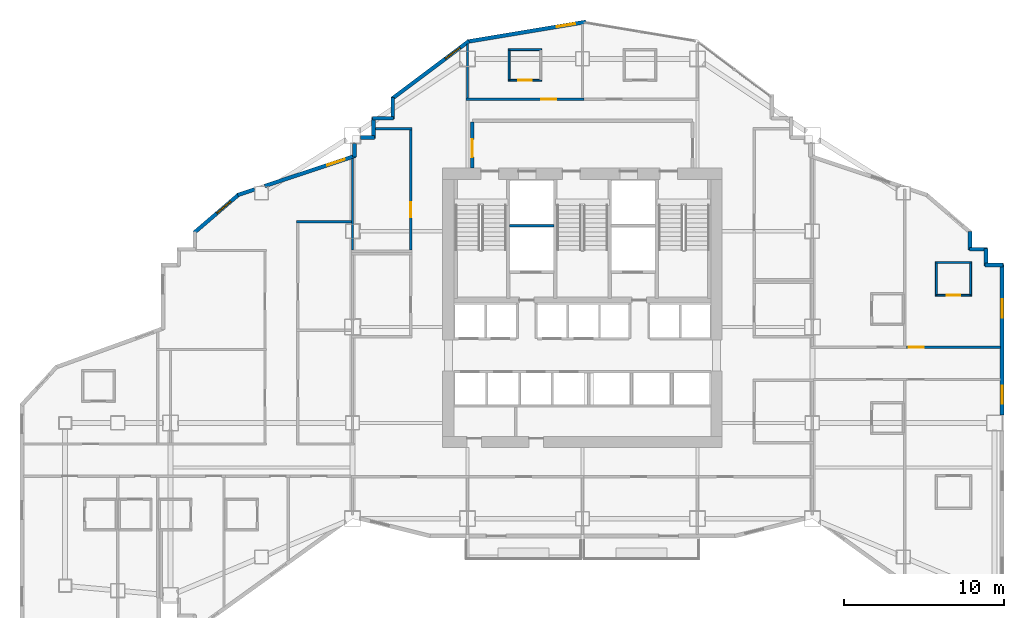
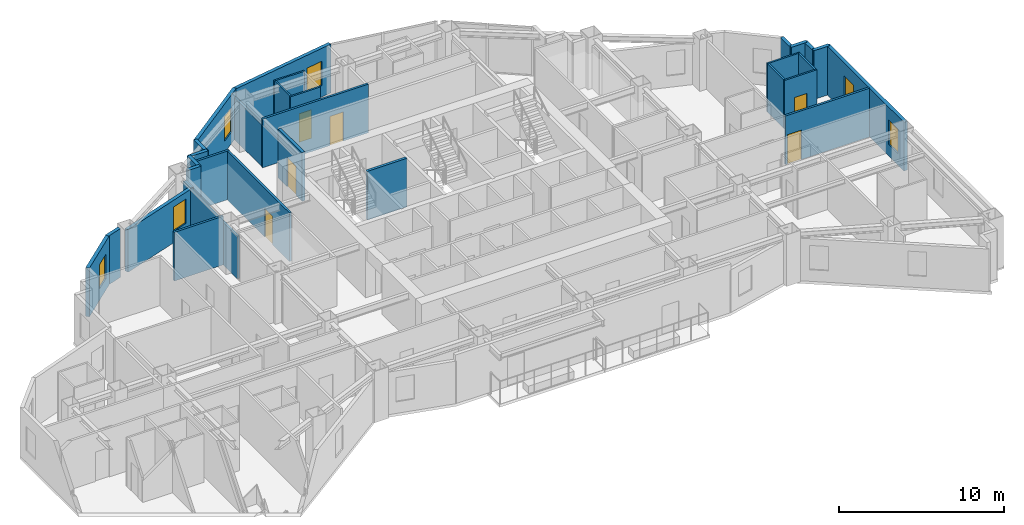
# One storey, part 9 of 14: 31 walls, 6 doors, 6 windows, 12 openings.
"""IFC4 building model written with IfcOpenShell, lengths in metres."""

from ifc_helpers import new_model, si_unit, direction, frame, frame_2d, origin, place, context, subcontext, project, spatial, rectangle, extrude, material, layer, layer_set, type_object, element, fill, save


model = new_model("IFC4")

# Units and contexts
model_context = context("Model", 3, precision=1e-05, world=origin(), true_north=direction((0.0, 1.0)))
body_context = subcontext(model_context, "Body", "Model", "MODEL_VIEW")
ifc_project = project(units=[si_unit("LENGTHUNIT", "METRE"), si_unit("AREAUNIT", "SQUARE_METRE"), si_unit("VOLUMEUNIT", "CUBIC_METRE"), si_unit("PLANEANGLEUNIT", "RADIAN"), si_unit("MASSUNIT", "GRAM", prefix="KILO")], contexts=[model_context])

# Site, building, storey
site_placement = place(None, origin())
site = spatial("IfcSite", under=ifc_project, at=site_placement, CompositionType="ELEMENT")
building_placement = place(site_placement, origin())
building = spatial("IfcBuilding", under=site, at=building_placement, Name="Haolan Belvedere Tower", CompositionType="ELEMENT")
storey_placement = place(building_placement, frame((0.0, 0.0, 98.39990234375)))
storey = spatial("IfcBuildingStorey", under=building, at=storey_placement, Name="L24", CompositionType="ELEMENT", Elevation=98.39990234375)

# Wall, openings, windows
ifc_material_1 = material(Name="Precast concrete C40/50", Category="concrete")
ifc_layer_1 = layer(ifc_material_1, 0.239990234375, Name="Precast concrete C40/50")
ifc_layer_set_1 = layer_set([ifc_layer_1], Name="Precast concrete C40/50")
wall_type_1 = type_object("IfcWallType", Name="WL-EXT-240", PredefinedType="SOLIDWALL", material=ifc_layer_set_1)
wall_1_placement = place(storey_placement, frame((64.679931640625, 28.092041015625, 0.0), z_axis=(0.0, 0.0, 1.0), x_axis=(0.0, 1.0, 0.0)))
wall_1 = element("IfcWall", 1, at=wall_1_placement, inside=storey, type_object=wall_type_1, Name="L24 pale-metal exterior spandrel wall 14.2", PredefinedType="SOLIDWALL", context=body_context, shape_type="SweptSolid", body=[
    extrude(rectangle(XDim=9.44287109375, YDim=0.239990234375, at=frame_2d((4.721435546875, 0.0))), origin(), (0.0, 0.0, 1.0), 3.60009765625),
])
opening_1_placement = place(wall_1_placement, frame((0.699951171875, 0.0, 0.85009765625)))
opening_1 = element("IfcOpeningElement", 2, at=opening_1_placement, cuts=wall_1, Name="Opening W-02", PredefinedType="OPENING", context=body_context, shape_type="SweptSolid", body=[
    extrude(rectangle(XDim=1.14990234375, YDim=1.800048828125, at=frame_2d((0.574951171875, 0.89990234375))), frame((0.0, 0.1298828125, 0.0), z_axis=(0.0, -1.0, 0.0), x_axis=(1.0, 0.0, 0.0)), (0.0, 0.0, 1.0), 0.260009765625),
])
opening_2_placement = place(wall_1_placement, frame((6.10009765625, 0.0, 0.85009765625)))
opening_2 = element("IfcOpeningElement", 3, at=opening_2_placement, cuts=wall_1, Name="Opening W-02", PredefinedType="OPENING", context=body_context, shape_type="SweptSolid", body=[
    extrude(rectangle(XDim=1.14990234375, YDim=1.800048828125, at=frame_2d((0.574951171875, 0.89990234375))), frame((0.0, 0.1298828125, 0.0), z_axis=(0.0, -1.0, 0.0), x_axis=(1.0, 0.0, 0.0)), (0.0, 0.0, 1.0), 0.260009765625),
])
ifc_material_2 = material(Name="Anodised aluminium 6063-T6 and Low-E glass", Category="aluminium")
window_type = type_object("IfcWindowType", Name="WN-DECO-Z2", PartitioningType="SINGLE_PANEL", PredefinedType="WINDOW", material=ifc_material_2)
window_1_placement = place(opening_1_placement, origin())
window_1 = element("IfcWindow", 4, at=window_1_placement, inside=storey, type_object=window_type, Name="L24 Art Deco chevron window 1", OverallHeight=1.800048828125, OverallWidth=1.14990234375, PartitioningType="SINGLE_PANEL", PredefinedType="WINDOW", context=body_context, shape_type="SweptSolid", body=[
    extrude(rectangle(XDim=1.14990234375, YDim=1.800048828125, at=frame_2d((0.574951171875, 0.89990234375))), frame((0.0, 0.030029296875, 0.0), z_axis=(0.0, -1.0, 0.0), x_axis=(1.0, 0.0, 0.0)), (0.0, 0.0, 1.0), 0.06005859375),
])
fill(opening_1, window_1)
window_2_placement = place(opening_2_placement, origin())
window_2 = element("IfcWindow", 5, at=window_2_placement, inside=storey, type_object=window_type, Name="L24 Art Deco chevron window 2", OverallHeight=1.800048828125, OverallWidth=1.14990234375, PartitioningType="SINGLE_PANEL", PredefinedType="WINDOW", context=body_context, shape_type="SweptSolid", body=[
    extrude(rectangle(XDim=1.14990234375, YDim=1.800048828125, at=frame_2d((0.574951171875, 0.89990234375))), frame((0.0, 0.030029296875, 0.0), z_axis=(0.0, -1.0, 0.0), x_axis=(1.0, 0.0, 0.0)), (0.0, 0.0, 1.0), 0.06005859375),
])
fill(opening_2, window_2)

# Walls
wall_2_placement = place(storey_placement, frame((64.735107421875, 37.47998046875, 0.0), z_axis=(0.0, 0.0, 1.0), x_axis=(-1.0, 0.0, 0.0)))
element("IfcWall", 6, at=wall_2_placement, inside=storey, type_object=wall_type_1, Name="L24 pale-metal exterior spandrel wall 15.1", PredefinedType="SOLIDWALL", context=body_context, shape_type="SweptSolid", body=[
    extrude(rectangle(XDim=1.110107421875, YDim=0.239990234375, at=frame_2d((0.55517578125, 0.0))), origin(), (0.0, 0.0, 1.0), 3.60009765625),
])
wall_3_placement = place(storey_placement, frame((63.679931640625, 37.425048828125, 0.0), z_axis=(0.0, 0.0, 1.0), x_axis=(0.0, 1.0, 0.0)))
element("IfcWall", 7, at=wall_3_placement, inside=storey, type_object=wall_type_1, Name="L24 pale-metal exterior spandrel wall 16.1", PredefinedType="SOLIDWALL", context=body_context, shape_type="SweptSolid", body=[
    extrude(rectangle(XDim=1.10986328125, YDim=0.239990234375, at=frame_2d((0.554931640625, 0.0))), origin(), (0.0, 0.0, 1.0), 3.60009765625),
])
wall_4_placement = place(storey_placement, frame((63.735107421875, 38.47998046875, 0.0), z_axis=(0.0, 0.0, 1.0), x_axis=(-1.0, 0.0, 0.0)))
element("IfcWall", 8, at=wall_4_placement, inside=storey, type_object=wall_type_1, Name="L24 pale-metal exterior spandrel wall 17.1", PredefinedType="SOLIDWALL", context=body_context, shape_type="SweptSolid", body=[
    extrude(rectangle(XDim=1.110107421875, YDim=0.239990234375, at=frame_2d((0.55517578125, 0.0))), origin(), (0.0, 0.0, 1.0), 3.60009765625),
])
wall_5_placement = place(storey_placement, frame((62.679931640625, 38.425048828125, 0.0), z_axis=(0.0, 0.0, 1.0), x_axis=(0.0, 1.0, 0.0)))
element("IfcWall", 9, at=wall_5_placement, inside=storey, type_object=wall_type_1, Name="L24 pale-metal exterior spandrel wall 18.1", PredefinedType="SOLIDWALL", context=body_context, shape_type="SweptSolid", body=[
    extrude(rectangle(XDim=1.1748046875, YDim=0.239990234375, at=frame_2d((0.58740234375, 0.0))), origin(), (0.0, 0.0, 1.0), 3.60009765625),
])

# Wall, opening, window
wall_6_placement = place(storey_placement, frame((38.621826171875, 52.71533203125, 0.0), z_axis=(0.0, 0.0, 1.0), x_axis=(-0.98639129485, -0.164414760418, 0.0)))
wall_6 = element("IfcWall", 10, at=wall_6_placement, inside=storey, type_object=wall_type_1, Name="L24 pale-metal exterior spandrel wall 28.1", PredefinedType="SOLIDWALL", context=body_context, shape_type="SweptSolid", body=[
    extrude(rectangle(XDim=7.530029296875, YDim=0.239990234375, at=frame_2d((3.76513671875, 0.0))), origin(), (0.0, 0.0, 1.0), 3.60009765625),
])
opening_3_placement = place(wall_6_placement, frame((0.699951171875, 0.0, 0.85009765625)))
opening_3 = element("IfcOpeningElement", 11, at=opening_3_placement, cuts=wall_6, Name="Opening W-02", PredefinedType="OPENING", context=body_context, shape_type="SweptSolid", body=[
    extrude(rectangle(XDim=1.14990234375, YDim=1.800048828125, at=frame_2d((0.574951171875, 0.89990234375))), frame((0.0, 0.1298828125, 0.0), z_axis=(0.0, -1.0, 0.0), x_axis=(1.0, 0.0, 0.0)), (0.0, 0.0, 1.0), 0.260009765625),
])
window_3_placement = place(opening_3_placement, origin())
window_3 = element("IfcWindow", 12, at=window_3_placement, inside=storey, type_object=window_type, Name="L24 Art Deco chevron window 1", OverallHeight=1.800048828125, OverallWidth=1.14990234375, PartitioningType="SINGLE_PANEL", PredefinedType="WINDOW", context=body_context, shape_type="SweptSolid", body=[
    extrude(rectangle(XDim=1.14990234375, YDim=1.800048828125, at=frame_2d((0.574951171875, 0.89990234375))), frame((0.0, 0.030029296875, 0.0), z_axis=(0.0, -1.0, 0.0), x_axis=(1.0, 0.0, 0.0)), (0.0, 0.0, 1.0), 0.06005859375),
])
fill(opening_3, window_3)

wall_7_placement = place(storey_placement, frame((31.29248046875, 51.519287109375, 0.0), z_axis=(0.0, 0.0, 1.0), x_axis=(-0.8, -0.6, 0.0)))
wall_7 = element("IfcWall", 13, at=wall_7_placement, inside=storey, type_object=wall_type_1, Name="L24 pale-metal exterior spandrel wall 29.1", PredefinedType="SOLIDWALL", context=body_context, shape_type="SweptSolid", body=[
    extrude(rectangle(XDim=6.0205078125, YDim=0.239990234375, at=frame_2d((3.01025390625, 0.0))), origin(), (0.0, 0.0, 1.0), 3.60009765625),
])
opening_4_placement = place(wall_7_placement, frame((0.699951171875, 0.0, 0.85009765625)))
opening_4 = element("IfcOpeningElement", 14, at=opening_4_placement, cuts=wall_7, Name="Opening W-02", PredefinedType="OPENING", context=body_context, shape_type="SweptSolid", body=[
    extrude(rectangle(XDim=1.14990234375, YDim=1.800048828125, at=frame_2d((0.574951171875, 0.89990234375))), frame((0.0, 0.1298828125, 0.0), z_axis=(0.0, -1.0, 0.0), x_axis=(1.0, 0.0, 0.0)), (0.0, 0.0, 1.0), 0.260009765625),
])
window_4_placement = place(opening_4_placement, origin())
window_4 = element("IfcWindow", 15, at=window_4_placement, inside=storey, type_object=window_type, Name="L24 Art Deco chevron window 1", OverallHeight=1.800048828125, OverallWidth=1.14990234375, PartitioningType="SINGLE_PANEL", PredefinedType="WINDOW", context=body_context, shape_type="SweptSolid", body=[
    extrude(rectangle(XDim=1.14990234375, YDim=1.800048828125, at=frame_2d((0.574951171875, 0.89990234375))), frame((0.0, 0.030029296875, 0.0), z_axis=(0.0, -1.0, 0.0), x_axis=(1.0, 0.0, 0.0)), (0.0, 0.0, 1.0), 0.06005859375),
])
fill(opening_4, window_4)

# Walls
wall_8_placement = place(storey_placement, frame((26.52001953125, 47.9951171875, 0.0), z_axis=(0.0, 0.0, 1.0), x_axis=(0.0, -1.0, 0.0)))
element("IfcWall", 16, at=wall_8_placement, inside=storey, type_object=wall_type_1, Name="L24 pale-metal exterior spandrel wall 30.1", PredefinedType="SOLIDWALL", context=body_context, shape_type="SweptSolid", body=[
    extrude(rectangle(XDim=1.3701171875, YDim=0.239990234375, at=frame_2d((0.68505859375, 0.0))), origin(), (0.0, 0.0, 1.0), 3.60009765625),
])
for number, where, z_axis, x_axis, name in (
    (17, (26.574951171875, 46.679931640625, 0.0), (0.0, 0.0, 1.0), (-1.0, 0.0, 0.0), "L24 pale-metal exterior spandrel wall 31.1"),
    (18, (25.320068359375, 46.735107421875, 0.0), (0.0, 0.0, 1.0), (0.0, -1.0, 0.0), "L24 pale-metal exterior spandrel wall 32.1"),
):
    element("IfcWall", number, at=place(storey_placement, frame(where, z_axis=z_axis, x_axis=x_axis)), inside=storey, type_object=wall_type_1, Name=name, PredefinedType="SOLIDWALL", context=body_context, shape_type="SweptSolid", body=[
        extrude(rectangle(XDim=1.31005859375, YDim=0.239990234375, at=frame_2d((0.655029296875, 0.0))), origin(), (0.0, 0.0, 1.0), 3.60009765625),
    ])
wall_9_placement = place(storey_placement, frame((25.375, 45.47998046875, 0.0), z_axis=(0.0, 0.0, 1.0), x_axis=(-1.0, 0.0, 0.0)))
element("IfcWall", 19, at=wall_9_placement, inside=storey, type_object=wall_type_1, Name="L24 pale-metal exterior spandrel wall 33.1", PredefinedType="SOLIDWALL", context=body_context, shape_type="SweptSolid", body=[
    extrude(rectangle(XDim=0.883056640625, YDim=0.239990234375, at=frame_2d((0.44140625, 0.0))), origin(), (0.0, 0.0, 1.0), 3.60009765625),
])
wall_10_placement = place(storey_placement, frame((24.1201171875, 45.10791015625, 0.0), z_axis=(0.0, 0.0, 1.0), x_axis=(0.0, -1.0, 0.0)))
element("IfcWall", 20, at=wall_10_placement, inside=storey, type_object=wall_type_1, Name="L24 pale-metal exterior spandrel wall 34.1", PredefinedType="SOLIDWALL", context=body_context, shape_type="SweptSolid", body=[
    extrude(rectangle(XDim=0.849365234375, YDim=0.239990234375, at=frame_2d((0.4248046875, 0.0))), origin(), (0.0, 0.0, 1.0), 3.14501953125),
])

# Wall, opening, window
wall_11_placement = place(storey_placement, frame((24.172119140625, 44.330810546875, 0.0), z_axis=(0.0, 0.0, 1.0), x_axis=(-0.948683298051, -0.316227766017, 0.0)))
wall_11 = element("IfcWall", 21, at=wall_11_placement, inside=storey, type_object=wall_type_1, Name="L24 pale-metal exterior spandrel wall 35.1", PredefinedType="SOLIDWALL", context=body_context, shape_type="SweptSolid", body=[
    extrude(rectangle(XDim=5.973388671875, YDim=0.239990234375, at=frame_2d((2.98681640625, 0.0))), origin(), (0.0, 0.0, 1.0), 3.14501953125),
])
opening_5_placement = place(wall_11_placement, frame((0.699951171875, 0.0, 0.85009765625)))
opening_5 = element("IfcOpeningElement", 22, at=opening_5_placement, cuts=wall_11, Name="Opening W-02", PredefinedType="OPENING", context=body_context, shape_type="SweptSolid", body=[
    extrude(rectangle(XDim=1.14990234375, YDim=1.800048828125, at=frame_2d((0.574951171875, 0.89990234375))), frame((0.0, 0.1298828125, 0.0), z_axis=(0.0, -1.0, 0.0), x_axis=(1.0, 0.0, 0.0)), (0.0, 0.0, 1.0), 0.260009765625),
])
window_5_placement = place(opening_5_placement, origin())
window_5 = element("IfcWindow", 23, at=window_5_placement, inside=storey, type_object=window_type, Name="L24 Art Deco chevron window 1", OverallHeight=1.800048828125, OverallWidth=1.14990234375, PartitioningType="SINGLE_PANEL", PredefinedType="WINDOW", context=body_context, shape_type="SweptSolid", body=[
    extrude(rectangle(XDim=1.14990234375, YDim=1.800048828125, at=frame_2d((0.574951171875, 0.89990234375))), frame((0.0, 0.030029296875, 0.0), z_axis=(0.0, -1.0, 0.0), x_axis=(1.0, 0.0, 0.0)), (0.0, 0.0, 1.0), 0.06005859375),
])
fill(opening_5, window_5)

# Wall
wall_12_placement = place(storey_placement, frame((17.85791015625, 42.226318359375, 0.0), z_axis=(0.0, 0.0, 1.0), x_axis=(-0.948639166064, -0.316360131194, 0.0)))
element("IfcWall", 24, at=wall_12_placement, inside=storey, type_object=wall_type_1, Name="L24 pale-metal exterior spandrel wall 35.2", PredefinedType="SOLIDWALL", context=body_context, shape_type="SweptSolid", body=[
    extrude(rectangle(XDim=1.106689453125, YDim=0.239990234375, at=frame_2d((0.55322265625, 0.0))), origin(), (0.0, 0.0, 1.0), 3.60009765625),
])

# Wall, opening, window
wall_13_placement = place(storey_placement, frame((16.902099609375, 41.929443359375, 0.0), z_axis=(0.0, 0.0, 1.0), x_axis=(-0.759275136126, -0.650769750112, 0.0)))
wall_13 = element("IfcWall", 25, at=wall_13_placement, inside=storey, type_object=wall_type_1, Name="L24 pale-metal exterior spandrel wall 36.1", PredefinedType="SOLIDWALL", context=body_context, shape_type="SweptSolid", body=[
    extrude(rectangle(XDim=3.71923828125, YDim=0.239990234375, at=frame_2d((1.859619140625, 0.0))), origin(), (0.0, 0.0, 1.0), 3.60009765625),
])
opening_6_placement = place(wall_13_placement, frame((0.699951171875, 0.0, 0.85009765625)))
opening_6 = element("IfcOpeningElement", 26, at=opening_6_placement, cuts=wall_13, Name="Opening W-02", PredefinedType="OPENING", context=body_context, shape_type="SweptSolid", body=[
    extrude(rectangle(XDim=1.14990234375, YDim=1.800048828125, at=frame_2d((0.574951171875, 0.89990234375))), frame((0.0, 0.1298828125, 0.0), z_axis=(0.0, -1.0, 0.0), x_axis=(1.0, 0.0, 0.0)), (0.0, 0.0, 1.0), 0.260009765625),
])
window_6_placement = place(opening_6_placement, origin())
window_6 = element("IfcWindow", 27, at=window_6_placement, inside=storey, type_object=window_type, Name="L24 Art Deco chevron window 1", OverallHeight=1.800048828125, OverallWidth=1.14990234375, PartitioningType="SINGLE_PANEL", PredefinedType="WINDOW", context=body_context, shape_type="SweptSolid", body=[
    extrude(rectangle(XDim=1.14990234375, YDim=1.800048828125, at=frame_2d((0.574951171875, 0.89990234375))), frame((0.0, 0.030029296875, 0.0), z_axis=(0.0, -1.0, 0.0), x_axis=(1.0, 0.0, 0.0)), (0.0, 0.0, 1.0), 0.06005859375),
])
fill(opening_6, window_6)

# Wall, opening, door
ifc_material_3 = material(Name="Concrete C40/50", Category="concrete")
ifc_layer_2 = layer(ifc_material_3, 0.199951171875, Name="Concrete C40/50")
ifc_layer_set_2 = layer_set([ifc_layer_2], Name="Concrete C40/50")
wall_type_2 = type_object("IfcWallType", Name="WL-FIRE-200", PredefinedType="SOLIDWALL", material=ifc_layer_set_2)
wall_14_placement = place(storey_placement, frame((31.5, 43.550048828125, 0.0), z_axis=(0.0, 0.0, 1.0), x_axis=(0.0, 1.0, 0.0)))
wall_14 = element("IfcWall", 28, at=wall_14_placement, inside=storey, type_object=wall_type_2, Name="L24 interior partition IW-L24-FFL-W", PredefinedType="SOLIDWALL", context=body_context, shape_type="SweptSolid", body=[
    extrude(rectangle(XDim=2.885009765625, YDim=0.199951171875, at=frame_2d((1.4423828125, 0.0))), origin(), (0.0, 0.0, 1.0), 3.60009765625),
])
opening_7_placement = place(wall_14_placement, frame((1.800048828125, 0.0, 0.0), z_axis=(0.0, 0.0, 1.0), x_axis=(-1.0, 0.0, 0.0)))
opening_7 = element("IfcOpeningElement", 29, at=opening_7_placement, cuts=wall_14, Name="Opening FD-03", PredefinedType="OPENING", context=body_context, shape_type="SweptSolid", body=[
    extrude(rectangle(XDim=1.10009765625, YDim=2.14990234375, at=frame_2d((0.550048828125, 1.074951171875))), frame((0.0, 0.10986328125, 0.0), z_axis=(0.0, -1.0, 0.0), x_axis=(1.0, 0.0, 0.0)), (0.0, 0.0, 1.0), 0.219970703125),
])
ifc_material_4 = material(Name="Galvanised fire-rated steel", Category="steel")
door_type_1 = type_object("IfcDoorType", Name="DR-FD90-1100", OperationType="NOTDEFINED", PredefinedType="DOOR", material=ifc_material_4)
door_1_placement = place(opening_7_placement, origin())
door_1 = element("IfcDoor", 30, at=door_1_placement, inside=storey, type_object=door_type_1, Name="L24 door ID-L24-FFL-DW", OperationType="SINGLE_SWING_LEFT", OverallHeight=2.14990234375, OverallWidth=1.10009765625, PredefinedType="DOOR", context=body_context, shape_type="SweptSolid", body=[
    extrude(rectangle(XDim=1.10009765625, YDim=2.14990234375, at=frame_2d((0.550048828125, 1.074951171875))), frame((0.0, 0.02490234375, 0.0), z_axis=(0.0, -1.0, 0.0), x_axis=(1.0, 0.0, 0.0)), (0.0, 0.0, 1.0), 0.050048828125),
])
fill(opening_7, door_1)

# Walls
ifc_material_5 = material(Name="Double gypsum acoustic stud partition", Category="masonry")
ifc_layer_3 = layer(ifc_material_5, 0.14990234375, Name="Double gypsum acoustic stud partition")
ifc_layer_set_3 = layer_set([ifc_layer_3], Name="Double gypsum acoustic stud partition")
wall_type_3 = type_object("IfcWallType", Name="WL-PART-150", PredefinedType="PARTITIONING", material=ifc_layer_set_3)
wall_15_placement = place(storey_placement, frame((25.425048828125, 46.02001953125, 0.0), z_axis=(0.0, 0.0, 1.0), x_axis=(1.0, 0.0, 0.0)))
element("IfcWall", 31, at=wall_15_placement, inside=storey, type_object=wall_type_3, Name="L24 interior partition IW-L24-VLT-N", PredefinedType="PARTITIONING", context=body_context, shape_type="SweptSolid", body=[
    extrude(rectangle(XDim=2.294921875, YDim=0.14990234375, at=frame_2d((1.1474609375, 0.0))), origin(), (0.0, 0.0, 1.0), 3.60009765625),
])
wall_16_placement = place(storey_placement, frame((24.0, 38.419921875, 0.0), z_axis=(0.0, 0.0, 1.0), x_axis=(0.0, 1.0, 0.0)))
element("IfcWall", 32, at=wall_16_placement, inside=storey, type_object=wall_type_3, Name="L24 interior partition IW-L24-VLT-W", PredefinedType="PARTITIONING", context=body_context, shape_type="SweptSolid", body=[
    extrude(rectangle(XDim=5.742919921875, YDim=0.14990234375, at=frame_2d((2.87158203125, 0.0))), origin(), (0.0, 0.0, 1.0), 3.14501953125),
])

# Wall, opening, door
wall_17_placement = place(storey_placement, frame((27.639892578125, 38.419921875, 0.0), z_axis=(0.0, 0.0, 1.0), x_axis=(0.0, 1.0, 0.0)))
wall_17 = element("IfcWall", 33, at=wall_17_placement, inside=storey, type_object=wall_type_3, Name="L24 interior partition IW-L24-VLT-E", PredefinedType="PARTITIONING", context=body_context, shape_type="SweptSolid", body=[
    extrude(rectangle(XDim=7.5400390625, YDim=0.14990234375, at=frame_2d((3.77001953125, 0.0))), origin(), (0.0, 0.0, 1.0), 3.60009765625),
])
opening_8_placement = place(wall_17_placement, frame((3.010009765625, 0.0, 0.0), z_axis=(0.0, 0.0, 1.0), x_axis=(-1.0, 0.0, 0.0)))
opening_8 = element("IfcOpeningElement", 34, at=opening_8_placement, cuts=wall_17, Name="Opening ID-03", PredefinedType="OPENING", context=body_context, shape_type="SweptSolid", body=[
    extrude(rectangle(XDim=0.949951171875, YDim=2.1201171875, at=frame_2d((0.47509765625, 1.06005859375))), frame((0.0, 0.0849609375, 0.0), z_axis=(0.0, -1.0, 0.0), x_axis=(1.0, 0.0, 0.0)), (0.0, 0.0, 1.0), 0.169921875),
])
ifc_material_6 = material(Name="Painted solid-core timber", Category="wood")
door_type_2 = type_object("IfcDoorType", Name="DR-INT-950", OperationType="NOTDEFINED", PredefinedType="DOOR", material=ifc_material_6)
door_2_placement = place(opening_8_placement, origin())
door_2 = element("IfcDoor", 35, at=door_2_placement, inside=storey, type_object=door_type_2, Name="L24 door ID-L24-VLT", OperationType="SINGLE_SWING_RIGHT", OverallHeight=2.1201171875, OverallWidth=0.949951171875, PredefinedType="DOOR", context=body_context, shape_type="SweptSolid", body=[
    extrude(rectangle(XDim=0.949951171875, YDim=2.1201171875, at=frame_2d((0.47509765625, 1.06005859375))), frame((0.0, 0.02490234375, 0.0), z_axis=(0.0, -1.0, 0.0), x_axis=(1.0, 0.0, 0.0)), (0.0, 0.0, 1.0), 0.050048828125),
])
fill(opening_8, door_2)

wall_18_placement = place(storey_placement, frame((31.10009765625, 47.8798828125, 0.0), z_axis=(0.0, 0.0, 1.0), x_axis=(1.0, 0.0, 0.0)))
wall_18 = element("IfcWall", 36, at=wall_18_placement, inside=storey, type_object=wall_type_3, Name="L24 interior partition IW-L24-KN2-S", PredefinedType="PARTITIONING", context=body_context, shape_type="SweptSolid", body=[
    extrude(rectangle(XDim=7.39990234375, YDim=0.14990234375, at=frame_2d((3.699951171875, 0.0))), origin(), (0.0, 0.0, 1.0), 3.60009765625),
])
opening_9_placement = place(wall_18_placement, frame((4.713623046875, 0.0, 0.0)))
opening_9 = element("IfcOpeningElement", 37, at=opening_9_placement, cuts=wall_18, Name="Opening ID-02", PredefinedType="OPENING", context=body_context, shape_type="SweptSolid", body=[
    extrude(rectangle(XDim=0.949951171875, YDim=2.14990234375, at=frame_2d((0.47509765625, 1.074951171875))), frame((0.0, 0.0849609375, 0.0), z_axis=(0.0, -1.0, 0.0), x_axis=(1.0, 0.0, 0.0)), (0.0, 0.0, 1.0), 0.169921875),
])
ifc_material_7 = material(Name="Acoustic oak veneer fire-rated timber", Category="wood")
door_type_3 = type_object("IfcDoorType", Name="DR-GUEST-950", OperationType="NOTDEFINED", PredefinedType="DOOR", material=ifc_material_7)
door_3_placement = place(opening_9_placement, origin())
door_3 = element("IfcDoor", 38, at=door_3_placement, inside=storey, type_object=door_type_3, Name="L24 door ID-L24-KN2-ENT", OperationType="SINGLE_SWING_LEFT", OverallHeight=2.14990234375, OverallWidth=0.949951171875, PredefinedType="DOOR", context=body_context, shape_type="SweptSolid", body=[
    extrude(rectangle(XDim=0.949951171875, YDim=2.14990234375, at=frame_2d((0.47509765625, 1.074951171875))), frame((0.0, 0.02490234375, 0.0), z_axis=(0.0, -1.0, 0.0), x_axis=(1.0, 0.0, 0.0)), (0.0, 0.0, 1.0), 0.050048828125),
])
fill(opening_9, door_3)

# Walls
wall_19_placement = place(storey_placement, frame((31.199951171875, 47.93994140625, 0.0), z_axis=(0.0, 0.0, 1.0), x_axis=(0.0, 1.0, 0.0)))
element("IfcWall", 39, at=wall_19_placement, inside=storey, type_object=wall_type_3, Name="L24 interior partition IW-L24-KN2-W", PredefinedType="PARTITIONING", context=body_context, shape_type="SweptSolid", body=[
    extrude(rectangle(XDim=3.378662109375, YDim=0.14990234375, at=frame_2d((1.689453125, 0.0))), origin(), (0.0, 0.0, 1.0), 3.085205078125),
])
wall_20_placement = place(storey_placement, frame((20.5, 40.199951171875, 0.0), z_axis=(0.0, 0.0, 1.0), x_axis=(1.0, 0.0, 0.0)))
element("IfcWall", 40, at=wall_20_placement, inside=storey, type_object=wall_type_3, Name="L24 interior partition IW-L24-T2E2-N", PredefinedType="PARTITIONING", context=body_context, shape_type="SweptSolid", body=[
    extrude(rectangle(XDim=3.43994140625, YDim=0.14990234375, at=frame_2d((1.719970703125, 0.0))), origin(), (0.0, 0.0, 1.0), 3.60009765625),
])

# Wall, opening, door
wall_21_placement = place(storey_placement, frame((58.69189453125, 32.330078125, 0.0), z_axis=(0.0, 0.0, 1.0), x_axis=(1.0, 0.0, 0.0)))
wall_21 = element("IfcWall", 41, at=wall_21_placement, inside=storey, type_object=wall_type_3, Name="L24 interior partition IW-L24-T4N2-S", PredefinedType="PARTITIONING", context=body_context, shape_type="SweptSolid", body=[
    extrude(rectangle(XDim=5.883056640625, YDim=0.14990234375, at=frame_2d((2.94140625, 0.0))), origin(), (0.0, 0.0, 1.0), 3.60009765625),
])
opening_10_placement = place(wall_21_placement, frame((0.139892578125, 0.0, 0.0)))
opening_10 = element("IfcOpeningElement", 42, at=opening_10_placement, cuts=wall_21, Name="Opening ID-01", PredefinedType="OPENING", context=body_context, shape_type="SweptSolid", body=[
    extrude(rectangle(XDim=0.949951171875, YDim=2.179931640625, at=frame_2d((0.47509765625, 1.08984375))), frame((0.0, 0.0849609375, 0.0), z_axis=(0.0, -1.0, 0.0), x_axis=(1.0, 0.0, 0.0)), (0.0, 0.0, 1.0), 0.169921875),
])
ifc_material_8 = material(Name="Acoustic walnut veneer fire-rated timber", Category="wood")
door_type_4 = type_object("IfcDoorType", Name="DR-SUITE-950", OperationType="NOTDEFINED", PredefinedType="DOOR", material=ifc_material_8)
door_4_placement = place(opening_10_placement, origin())
door_4 = element("IfcDoor", 43, at=door_4_placement, inside=storey, type_object=door_type_4, Name="L24 door ID-L24-T4N2-ENT", OperationType="SINGLE_SWING_LEFT", OverallHeight=2.179931640625, OverallWidth=0.949951171875, PredefinedType="DOOR", context=body_context, shape_type="SweptSolid", body=[
    extrude(rectangle(XDim=0.949951171875, YDim=2.179931640625, at=frame_2d((0.47509765625, 1.08984375))), frame((0.0, 0.02490234375, 0.0), z_axis=(0.0, -1.0, 0.0), x_axis=(1.0, 0.0, 0.0)), (0.0, 0.0, 1.0), 0.050048828125),
])
fill(opening_10, door_4)

# Walls
ifc_layer_4 = layer(ifc_material_1, 0.179931640625, Name="Precast concrete C40/50")
ifc_layer_set_4 = layer_set([ifc_layer_4], Name="Precast concrete C40/50")
wall_type_4 = type_object("IfcWallType", Name="WL-SHAFT-180", PredefinedType="SOLIDWALL", material=ifc_layer_set_4)
wall_22_placement = place(storey_placement, frame((33.8349609375, 39.949951171875, 0.0), z_axis=(0.0, 0.0, 1.0), x_axis=(1.0, 0.0, 0.0)))
element("IfcWall", 44, at=wall_22_placement, inside=storey, type_object=wall_type_4, Name="L24 interior partition IW-L24-FF1-S", PredefinedType="SOLIDWALL", context=body_context, shape_type="SweptSolid", body=[
    extrude(rectangle(XDim=2.77001953125, YDim=0.179931640625, at=frame_2d((1.385009765625, 0.0))), origin(), (0.0, 0.0, 1.0), 3.60009765625),
])
ifc_material_9 = material(Name="Moisture-resistant gypsum tile partition", Category="masonry")
ifc_layer_5 = layer(ifc_material_9, 0.1201171875, Name="Moisture-resistant gypsum tile partition")
ifc_layer_set_5 = layer_set([ifc_layer_5], Name="Moisture-resistant gypsum tile partition")
wall_type_5 = type_object("IfcWallType", Name="WL-WET-120", PredefinedType="PARTITIONING", material=ifc_layer_set_5)
wall_23_placement = place(storey_placement, frame((33.75, 50.97998046875, 0.0), z_axis=(0.0, 0.0, 1.0), x_axis=(1.0, 0.0, 0.0)))
element("IfcWall", 45, at=wall_23_placement, inside=storey, type_object=wall_type_5, Name="L24 interior partition IW-L24-KN2-BN", PredefinedType="PARTITIONING", context=body_context, shape_type="SweptSolid", body=[
    extrude(rectangle(XDim=2.10009765625, YDim=0.1201171875, at=frame_2d((1.050048828125, 0.0))), origin(), (0.0, 0.0, 1.0), 3.60009765625),
])

# Wall, opening, door
wall_24_placement = place(storey_placement, frame((33.75, 49.06005859375, 0.0), z_axis=(0.0, 0.0, 1.0), x_axis=(1.0, 0.0, 0.0)))
wall_24 = element("IfcWall", 46, at=wall_24_placement, inside=storey, type_object=wall_type_5, Name="L24 interior partition IW-L24-KN2-BS", PredefinedType="PARTITIONING", context=body_context, shape_type="SweptSolid", body=[
    extrude(rectangle(XDim=2.10009765625, YDim=0.1201171875, at=frame_2d((1.050048828125, 0.0))), origin(), (0.0, 0.0, 1.0), 3.60009765625),
])
opening_11_placement = place(wall_24_placement, frame((0.625, 0.0, 0.0)))
opening_11 = element("IfcOpeningElement", 47, at=opening_11_placement, cuts=wall_24, Name="Opening ID-05", PredefinedType="OPENING", context=body_context, shape_type="SweptSolid", body=[
    extrude(rectangle(XDim=0.85009765625, YDim=2.10009765625, at=frame_2d((0.425048828125, 1.050048828125))), frame((0.0, 0.070068359375, 0.0), z_axis=(0.0, -1.0, 0.0), x_axis=(1.0, 0.0, 0.0)), (0.0, 0.0, 1.0), 0.14013671875),
])
ifc_material_10 = material(Name="Moisture-resistant lacquered timber", Category="wood")
door_type_5 = type_object("IfcDoorType", Name="DR-BATH-850", OperationType="NOTDEFINED", PredefinedType="DOOR", material=ifc_material_10)
door_5_placement = place(opening_11_placement, origin())
door_5 = element("IfcDoor", 48, at=door_5_placement, inside=storey, type_object=door_type_5, Name="L24 door ID-L24-KN2-BATH", OperationType="SINGLE_SWING_RIGHT", OverallHeight=2.10009765625, OverallWidth=0.85009765625, PredefinedType="DOOR", context=body_context, shape_type="SweptSolid", body=[
    extrude(rectangle(XDim=0.85009765625, YDim=2.10009765625, at=frame_2d((0.425048828125, 1.050048828125))), frame((0.0, 0.02490234375, 0.0), z_axis=(0.0, -1.0, 0.0), x_axis=(1.0, 0.0, 0.0)), (0.0, 0.0, 1.0), 0.050048828125),
])
fill(opening_11, door_5)

# Walls
wall_25_placement = place(storey_placement, frame((33.81005859375, 49.10498046875, 0.0), z_axis=(0.0, 0.0, 1.0), x_axis=(0.0, 1.0, 0.0)))
element("IfcWall", 49, at=wall_25_placement, inside=storey, type_object=wall_type_5, Name="L24 interior partition IW-L24-KN2-BW", PredefinedType="PARTITIONING", context=body_context, shape_type="SweptSolid", body=[
    extrude(rectangle(XDim=1.830078125, YDim=0.1201171875, at=frame_2d((0.9150390625, 0.0))), origin(), (0.0, 0.0, 1.0), 3.60009765625),
])
wall_26_placement = place(storey_placement, frame((60.501953125, 37.64501953125, 0.0), z_axis=(0.0, 0.0, 1.0), x_axis=(1.0, 0.0, 0.0)))
element("IfcWall", 50, at=wall_26_placement, inside=storey, type_object=wall_type_5, Name="L24 interior partition IW-L24-T4N2-BN", PredefinedType="PARTITIONING", context=body_context, shape_type="SweptSolid", body=[
    extrude(rectangle(XDim=2.27001953125, YDim=0.1201171875, at=frame_2d((1.135009765625, 0.0))), origin(), (0.0, 0.0, 1.0), 3.60009765625),
])

# Wall, opening, door
wall_27_placement = place(storey_placement, frame((60.501953125, 35.594970703125, 0.0), z_axis=(0.0, 0.0, 1.0), x_axis=(1.0, 0.0, 0.0)))
wall_27 = element("IfcWall", 51, at=wall_27_placement, inside=storey, type_object=wall_type_5, Name="L24 interior partition IW-L24-T4N2-BS", PredefinedType="PARTITIONING", context=body_context, shape_type="SweptSolid", body=[
    extrude(rectangle(XDim=2.27001953125, YDim=0.1201171875, at=frame_2d((1.135009765625, 0.0))), origin(), (0.0, 0.0, 1.0), 3.60009765625),
])
opening_12_placement = place(wall_27_placement, frame((0.7099609375, 0.0, 0.0)))
opening_12 = element("IfcOpeningElement", 52, at=opening_12_placement, cuts=wall_27, Name="Opening ID-05", PredefinedType="OPENING", context=body_context, shape_type="SweptSolid", body=[
    extrude(rectangle(XDim=0.85009765625, YDim=2.10009765625, at=frame_2d((0.425048828125, 1.050048828125))), frame((0.0, 0.070068359375, 0.0), z_axis=(0.0, -1.0, 0.0), x_axis=(1.0, 0.0, 0.0)), (0.0, 0.0, 1.0), 0.14013671875),
])
door_6_placement = place(opening_12_placement, origin())
door_6 = element("IfcDoor", 53, at=door_6_placement, inside=storey, type_object=door_type_5, Name="L24 door ID-L24-T4N2-BATH", OperationType="SINGLE_SWING_RIGHT", OverallHeight=2.10009765625, OverallWidth=0.85009765625, PredefinedType="DOOR", context=body_context, shape_type="SweptSolid", body=[
    extrude(rectangle(XDim=0.85009765625, YDim=2.10009765625, at=frame_2d((0.425048828125, 1.050048828125))), frame((0.0, 0.02490234375, 0.0), z_axis=(0.0, -1.0, 0.0), x_axis=(1.0, 0.0, 0.0)), (0.0, 0.0, 1.0), 0.050048828125),
])
fill(opening_12, door_6)

# Walls
for number, where, z_axis, x_axis, name in (
    (54, (60.56201171875, 35.639892578125, 0.0), (0.0, 0.0, 1.0), (0.0, 1.0, 0.0), "L24 interior partition IW-L24-T4N2-BW"),
    (55, (62.7119140625, 35.639892578125, 0.0), (0.0, 0.0, 1.0), (0.0, 1.0, 0.0), "L24 interior partition IW-L24-T4N2-BE"),
):
    element("IfcWall", number, at=place(storey_placement, frame(where, z_axis=z_axis, x_axis=x_axis)), inside=storey, type_object=wall_type_5, Name=name, PredefinedType="PARTITIONING", context=body_context, shape_type="SweptSolid", body=[
        extrude(rectangle(XDim=1.960205078125, YDim=0.1201171875, at=frame_2d((0.97998046875, 0.0))), origin(), (0.0, 0.0, 1.0), 3.60009765625),
    ])

save(model, "model.ifc")
